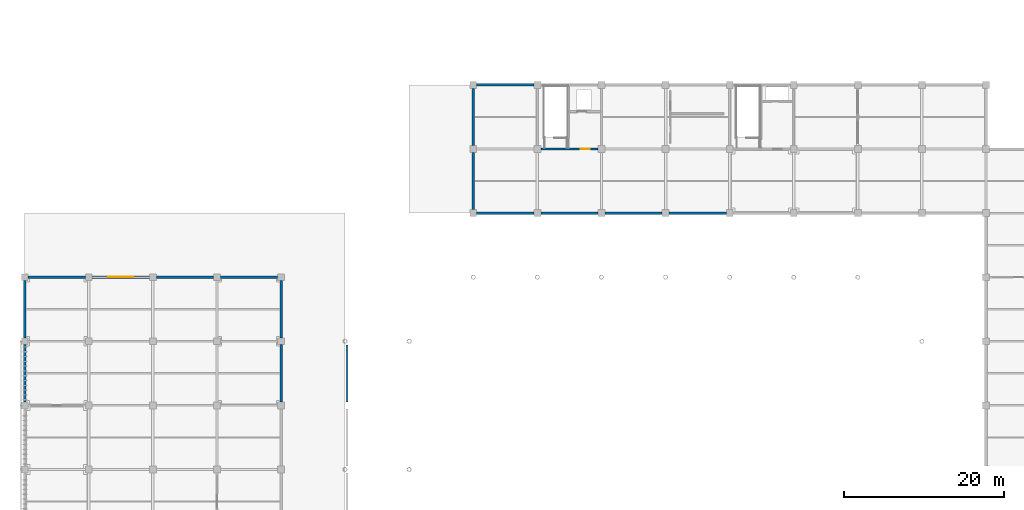
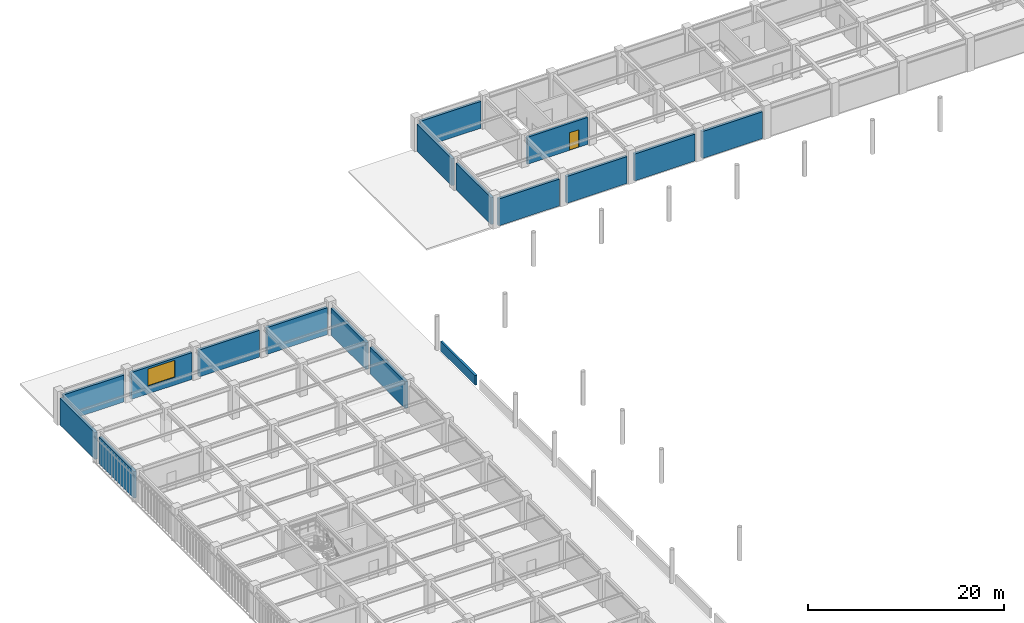
# One storey, part 60 of 78: 17 walls, 1 door, 1 window, 2 openings.
"""IFC4 building model written with IfcOpenShell, lengths in metres."""

from ifc_helpers import new_model, si_unit, direction, frame, frame_2d, origin, place, context, subcontext, project, spatial, rectangle, extrude, material, layer, layer_set, type_object, element, fill, save


model = new_model("IFC4")

# Units and contexts
model_context = context("Model", 3, precision=1e-05, world=origin(), true_north=direction((0.0, 1.0)))
body_context = subcontext(model_context, "Body", "Model", "MODEL_VIEW")
ifc_project = project(units=[si_unit("LENGTHUNIT", "METRE"), si_unit("AREAUNIT", "SQUARE_METRE"), si_unit("VOLUMEUNIT", "CUBIC_METRE"), si_unit("PLANEANGLEUNIT", "RADIAN"), si_unit("MASSUNIT", "GRAM", prefix="KILO")], contexts=[model_context])

# Site, building, storey
site_placement = place(None, origin())
site = spatial("IfcSite", under=ifc_project, at=site_placement, CompositionType="ELEMENT")
building_placement = place(site_placement, origin())
building = spatial("IfcBuilding", under=site, at=building_placement, Name="Haebicheon Civic Stadium", CompositionType="ELEMENT")
storey_placement = place(building_placement, frame((0.0, 0.0, 18.60009765625)))
storey = spatial("IfcBuildingStorey", under=building, at=storey_placement, Name="L05", CompositionType="ELEMENT", Elevation=18.60009765625)

# Wall, opening, door
ifc_material_1 = material(Name="Concrete C40/50", Category="concrete")
ifc_layer_1 = layer(ifc_material_1, 0.239990234375, Name="Concrete C40/50")
ifc_layer_set_1 = layer_set([ifc_layer_1], Name="Concrete C40/50")
wall_type_1 = type_object("IfcWallType", Name="CW-SHR-240", PredefinedType="SHEAR", material=ifc_layer_set_1)
wall_1_placement = place(storey_placement, frame((88.425048828125, 160.0, 0.0), z_axis=(0.0, 0.0, 1.0), x_axis=(1.0, 0.0, 0.0)))
wall_1 = element("IfcWall", 1, at=wall_1_placement, inside=storey, type_object=wall_type_1, material=ifc_layer_set_1, Name="KC-08 L05 south core shear wall", PredefinedType="SHEAR", context=body_context, shape_type="SweptSolid", body=[
    extrude(rectangle(XDim=7.14990234375, YDim=0.239990234375, at=frame_2d((3.574951171875, 0.0))), origin(), (0.0, 0.0, 1.0), 3.369873046875),
])
opening_1_placement = place(wall_1_placement, frame((5.0, 0.0, 0.0)))
opening_1 = element("IfcOpeningElement", 2, at=opening_1_placement, cuts=wall_1, Name="Opening D-L05-KC-08-LOB", PredefinedType="OPENING", context=body_context, shape_type="SweptSolid", body=[
    extrude(rectangle(XDim=1.10009765625, YDim=2.199951171875, at=frame_2d((0.550048828125, 1.10009765625))), frame((0.0, 0.1298828125, 0.0), z_axis=(0.0, -1.0, 0.0), x_axis=(1.0, 0.0, 0.0)), (0.0, 0.0, 1.0), 0.260009765625),
])
ifc_material_2 = material(Name="Galvanised painted steel SM355", Category="steel")
door_type = type_object("IfcDoorType", Name="ID-FD-1100", OperationType="NOTDEFINED", PredefinedType="DOOR", material=ifc_material_2)
door_placement = place(opening_1_placement, origin())
door = element("IfcDoor", 3, at=door_placement, inside=storey, type_object=door_type, material=ifc_material_2, Name="L05 KC-08 lobby fire door", OperationType="SINGLE_SWING_LEFT", OverallHeight=2.199951171875, OverallWidth=1.10009765625, PredefinedType="DOOR", context=body_context, shape_type="SweptSolid", body=[
    extrude(rectangle(XDim=1.10009765625, YDim=2.199951171875, at=frame_2d((0.550048828125, 1.10009765625))), frame((0.0, 0.02490234375, 0.0), z_axis=(0.0, -1.0, 0.0), x_axis=(1.0, 0.0, 0.0)), (0.0, 0.0, 1.0), 0.050048828125),
])
fill(opening_1, door)

# Walls
ifc_material_3 = material(Name="Precast concrete C40/50", Category="concrete")
ifc_layer_2 = layer(ifc_material_3, 0.320068359375, Name="Precast concrete C40/50")
ifc_layer_set_2 = layer_set([ifc_layer_2], Name="Precast concrete C40/50")
wall_type_2 = type_object("IfcWallType", Name="EW-BM-320", PredefinedType="SOLIDWALL", material=ifc_layer_set_2)
wall_2_placement = place(storey_placement, frame((24.0, 128.425048828125, 0.0), z_axis=(0.0, 0.0, 1.0), x_axis=(0.0, 1.0, 0.0)))
element("IfcWall", 4, at=wall_2_placement, inside=storey, type_object=wall_type_2, material=ifc_layer_set_2, Name="L05 board-marked concrete facade wall 03-16-W", PredefinedType="SOLIDWALL", context=body_context, shape_type="SweptSolid", body=[
    extrude(rectangle(XDim=7.14990234375, YDim=0.320068359375, at=frame_2d((3.574951171875, 0.0))), origin(), (0.0, 0.0, 1.0), 3.33984375),
])
wall_3_placement = place(storey_placement, frame((24.425048828125, 144.0, 0.0), z_axis=(0.0, 0.0, 1.0), x_axis=(1.0, 0.0, 0.0)))
element("IfcWall", 5, at=wall_3_placement, inside=storey, type_object=wall_type_2, material=ifc_layer_set_2, Name="L05 board-marked concrete facade wall 03-18-N", PredefinedType="SOLIDWALL", context=body_context, shape_type="SweptSolid", body=[
    extrude(rectangle(XDim=7.14990234375, YDim=0.320068359375, at=frame_2d((3.574951171875, 0.0))), origin(), (0.0, 0.0, 1.0), 3.349853515625),
])
wall_4_placement = place(storey_placement, frame((24.0, 136.425048828125, 0.0), z_axis=(0.0, 0.0, 1.0), x_axis=(0.0, 1.0, 0.0)))
element("IfcWall", 6, at=wall_4_placement, inside=storey, type_object=wall_type_2, material=ifc_layer_set_2, Name="L05 board-marked concrete facade wall 03-17-W", PredefinedType="SOLIDWALL", context=body_context, shape_type="SweptSolid", body=[
    extrude(rectangle(XDim=7.14990234375, YDim=0.320068359375, at=frame_2d((3.574951171875, 0.0))), origin(), (0.0, 0.0, 1.0), 3.33984375),
])

# Wall, opening, window
wall_5_placement = place(storey_placement, frame((32.425048828125, 144.0, 0.0), z_axis=(0.0, 0.0, 1.0), x_axis=(1.0, 0.0, 0.0)))
wall_5 = element("IfcWall", 7, at=wall_5_placement, inside=storey, type_object=wall_type_2, material=ifc_layer_set_2, Name="L05 board-marked concrete facade wall 04-18-N", PredefinedType="SOLIDWALL", context=body_context, shape_type="SweptSolid", body=[
    extrude(rectangle(XDim=7.14990234375, YDim=0.320068359375, at=frame_2d((3.574951171875, 0.0))), origin(), (0.0, 0.0, 1.0), 3.349853515625),
])
opening_2_placement = place(wall_5_placement, frame((2.0, 0.0, 0.949951171875)))
opening_2 = element("IfcOpeningElement", 8, at=opening_2_placement, cuts=wall_5, Name="Opening WIN-315x215", PredefinedType="OPENING", context=body_context, shape_type="SweptSolid", body=[
    extrude(rectangle(XDim=3.14990234375, YDim=2.14990234375, at=frame_2d((1.574951171875, 1.074951171875))), frame((0.0, 0.169921875, 0.0), z_axis=(0.0, -1.0, 0.0), x_axis=(1.0, 0.0, 0.0)), (0.0, 0.0, 1.0), 0.340087890625),
])
ifc_material_4 = material(Name="Anodised aluminium and laminated glass", Category="aluminium")
window_type = type_object("IfcWindowType", Name="WIN-315x215", PartitioningType="SINGLE_PANEL", PredefinedType="WINDOW", material=ifc_material_4)
window_placement = place(opening_2_placement, origin())
window = element("IfcWindow", 9, at=window_placement, inside=storey, type_object=window_type, material=ifc_material_4, Name="L05 facade window 104", OverallHeight=2.14990234375, OverallWidth=3.14990234375, PartitioningType="SINGLE_PANEL", PredefinedType="WINDOW", context=body_context, shape_type="SweptSolid", body=[
    extrude(rectangle(XDim=3.14990234375, YDim=2.14990234375, at=frame_2d((1.574951171875, 1.074951171875))), frame((0.0, 0.030029296875, 0.0), z_axis=(0.0, -1.0, 0.0), x_axis=(1.0, 0.0, 0.0)), (0.0, 0.0, 1.0), 0.06005859375),
])
fill(opening_2, window)

# Walls
for number, where, z_axis, x_axis, name in (
    (10, (40.425048828125, 144.0, 0.0), (0.0, 0.0, 1.0), (1.0, 0.0, 0.0), "L05 board-marked concrete facade wall 05-18-N"),
    (11, (56.0, 128.425048828125, 0.0), (0.0, 0.0, 1.0), (0.0, 1.0, 0.0), "L05 board-marked concrete facade wall 07-16-E"),
    (12, (48.425048828125, 144.0, 0.0), (0.0, 0.0, 1.0), (1.0, 0.0, 0.0), "L05 board-marked concrete facade wall 06-18-N"),
    (13, (56.0, 136.425048828125, 0.0), (0.0, 0.0, 1.0), (0.0, 1.0, 0.0), "L05 board-marked concrete facade wall 07-17-E"),
    (14, (80.425048828125, 152.0, 0.0), (0.0, 0.0, 1.0), (1.0, 0.0, 0.0), "L05 board-marked concrete facade wall 10-19-S"),
    (15, (80.0, 152.425048828125, 0.0), (0.0, 0.0, 1.0), (0.0, 1.0, 0.0), "L05 board-marked concrete facade wall 10-19-W"),
    (16, (80.425048828125, 168.0, 0.0), (0.0, 0.0, 1.0), (1.0, 0.0, 0.0), "L05 board-marked concrete facade wall 10-21-N"),
    (17, (80.0, 160.425048828125, 0.0), (0.0, 0.0, 1.0), (0.0, 1.0, 0.0), "L05 board-marked concrete facade wall 10-20-W"),
    (18, (88.425048828125, 152.0, 0.0), (0.0, 0.0, 1.0), (1.0, 0.0, 0.0), "L05 board-marked concrete facade wall 11-19-S"),
    (19, (96.425048828125, 152.0, 0.0), (0.0, 0.0, 1.0), (1.0, 0.0, 0.0), "L05 board-marked concrete facade wall 12-19-S"),
    (20, (104.425048828125, 152.0, 0.0), (0.0, 0.0, 1.0), (1.0, 0.0, 0.0), "L05 board-marked concrete facade wall 13-19-S"),
):
    element("IfcWall", number, at=place(storey_placement, frame(where, z_axis=z_axis, x_axis=x_axis)), inside=storey, type_object=wall_type_2, material=ifc_layer_set_2, Name=name, PredefinedType="SOLIDWALL", context=body_context, shape_type="SweptSolid", body=[
        extrude(rectangle(XDim=7.14990234375, YDim=0.320068359375, at=frame_2d((3.574951171875, 0.0))), origin(), (0.0, 0.0, 1.0), 3.349853515625),
    ])
ifc_material_5 = material(Name="Precast concrete C40/50", Category="concrete")
ifc_layer_3 = layer(ifc_material_5, 0.25, Name="Precast concrete C40/50")
ifc_layer_set_3 = layer_set([ifc_layer_3], Name="Precast concrete C40/50")
wall_type_3 = type_object("IfcWallType", Name="EW-PAR-250", PredefinedType="PARAPET", material=ifc_layer_set_3)
wall_6_placement = place(storey_placement, frame((64.239990234375, 128.449951171875, 0.0), z_axis=(0.0, 0.0, 1.0), x_axis=(0.0, 1.0, 0.0)))
element("IfcWall", 21, at=wall_6_placement, inside=storey, type_object=wall_type_3, material=ifc_layer_set_3, Name="TIER-W-U upper gangway parapet 11", PredefinedType="PARAPET", context=body_context, shape_type="SweptSolid", body=[
    extrude(rectangle(XDim=7.10009765625, YDim=0.25, at=frame_2d((3.550048828125, 0.0))), origin(), (0.0, 0.0, 1.0), 1.199951171875),
])

save(model, "model.ifc")
